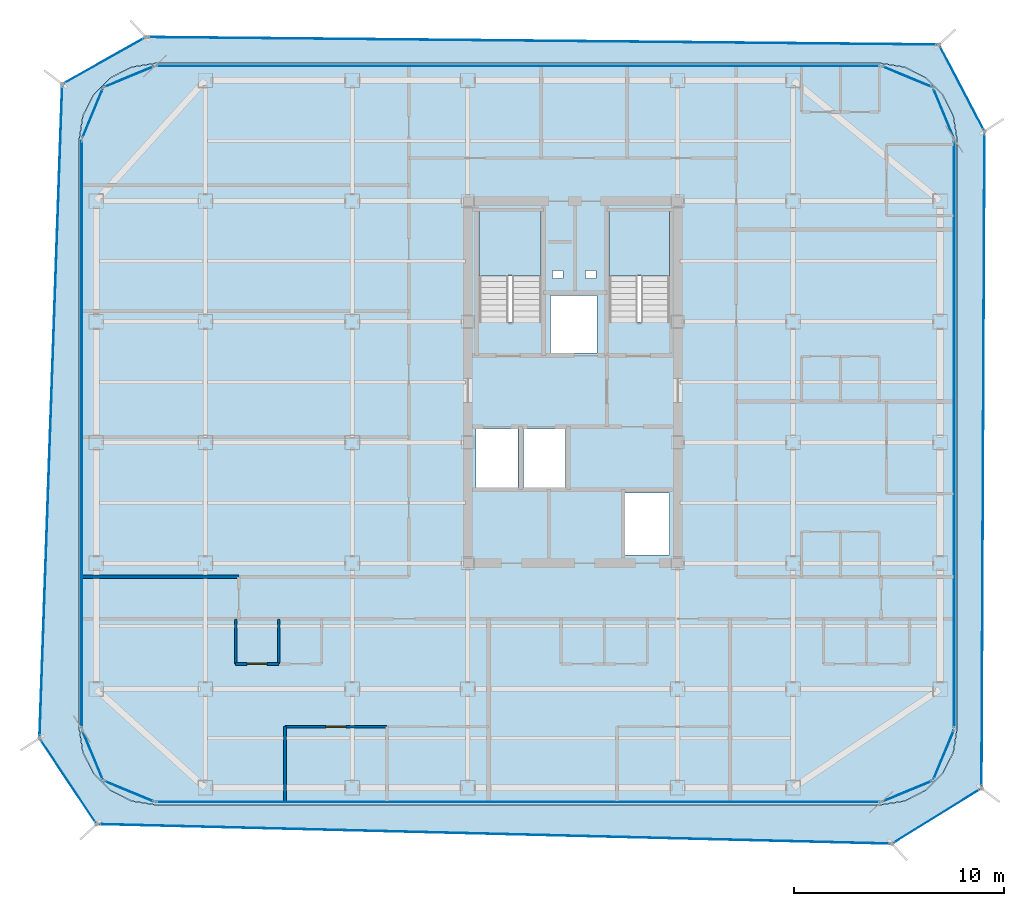
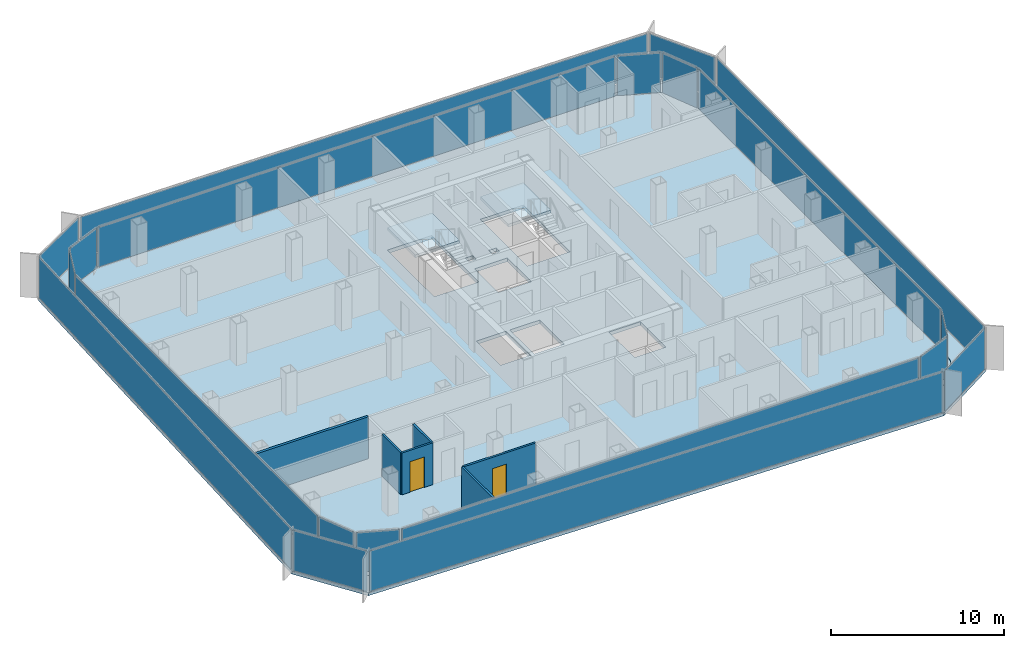
# One storey, part 9 of 15: 20 plates, 6 walls, 4 slabs, 2 doors, 2 openings, 22 elements without a shape of their own.
"""IFC4 building model written with IfcOpenShell, lengths in metres."""

from ifc_helpers import new_model, si_unit, direction, frame, frame_2d, origin, origin_2d, place, context, subcontext, project, spatial, polyline, rectangle, outline, extrude, source, transform, mapped, material, layer, layer_set, type_object, element, fill, aggregate, save


model = new_model("IFC4")

# Units and contexts
model_context = context("Model", 3, precision=1e-05, world=origin(), true_north=direction((0.0, 1.0)))
body_context = subcontext(model_context, "Body", "Model", "MODEL_VIEW")
ifc_project = project(units=[si_unit("LENGTHUNIT", "METRE"), si_unit("AREAUNIT", "SQUARE_METRE"), si_unit("VOLUMEUNIT", "CUBIC_METRE"), si_unit("PLANEANGLEUNIT", "RADIAN"), si_unit("MASSUNIT", "GRAM", prefix="KILO")], contexts=[model_context])

# Site, building, storey
site_placement = place(None, origin())
site = spatial("IfcSite", under=ifc_project, at=site_placement, CompositionType="ELEMENT")
building_placement = place(site_placement, origin())
building = spatial("IfcBuilding", under=site, at=building_placement, Name="Kolveth Station Tower", CompositionType="ELEMENT")
storey_placement = place(building_placement, frame((0.0, 0.0, 199.60009765625)))
storey = spatial("IfcBuildingStorey", under=building, at=storey_placement, Name="L56", CompositionType="ELEMENT", Elevation=199.60009765625)

# Slab
ifc_material_1 = material(Name="Concrete C40/50", Category="concrete")
ifc_layer_1 = layer(ifc_material_1, 0.25)
ifc_layer_set_1 = layer_set([ifc_layer_1], Name="Concrete C40/50")
slab_type_1 = type_object("IfcSlabType", Name="Slab_SF-250", PredefinedType="FLOOR", material=ifc_layer_set_1)
slab_1_placement = place(storey_placement, frame((0.0, 0.0, -0.25)))
element("IfcSlab", 1, at=slab_1_placement, inside=storey, type_object=slab_type_1, Name="L56 Tower Structural Floor Slab", PredefinedType="FLOOR", context=body_context, shape_type="SweptSolid", body=[
    extrude(outline(polyline([(38.199951171875, 0.0), (39.3125, 0.17626953125), (40.31591796875, 0.6875), (41.112548828125, 1.48388671875), (41.623779296875, 2.487548828125), (41.800048828125, 3.60009765625), (41.800048828125, 31.699951171875), (41.623779296875, 32.8125), (41.112548828125, 33.81591796875), (40.31591796875, 34.612548828125), (39.3125, 35.123779296875), (38.199951171875, 35.300048828125), (3.60009765625, 35.300048828125), (2.487548828125, 35.123779296875), (1.48388671875, 34.612548828125), (0.6875, 33.81591796875), (0.17626953125, 32.8125), (0.0, 31.699951171875), (0.0, 3.60009765625), (0.17626953125, 2.487548828125), (0.6875, 1.48388671875), (1.48388671875, 0.6875), (2.487548828125, 0.17626953125), (3.60009765625, 0.0), (38.199951171875, 0.0)]), holes=[polyline([(19.0400390625, 22.985107421875), (22.0, 22.985107421875), (22.0, 28.39990234375), (19.0400390625, 28.39990234375), (19.0400390625, 22.985107421875)]), polyline([(25.239990234375, 22.985107421875), (28.10009765625, 22.985107421875), (28.10009765625, 28.39990234375), (25.239990234375, 28.39990234375), (25.239990234375, 22.985107421875)]), polyline([(18.89990234375, 15.10009765625), (20.89990234375, 15.10009765625), (20.89990234375, 17.89990234375), (18.89990234375, 17.89990234375), (18.89990234375, 15.10009765625)]), polyline([(21.14990234375, 15.10009765625), (23.14990234375, 15.10009765625), (23.14990234375, 17.89990234375), (21.14990234375, 17.89990234375), (21.14990234375, 15.10009765625)]), polyline([(22.449951171875, 21.5), (24.64990234375, 21.5), (24.64990234375, 24.25), (22.449951171875, 24.25), (22.449951171875, 21.5)]), polyline([(26.0, 11.89990234375), (28.10009765625, 11.89990234375), (28.10009765625, 14.85009765625), (26.0, 14.85009765625), (26.0, 11.89990234375)]), polyline([(22.550048828125, 25.050048828125), (23.050048828125, 25.050048828125), (23.050048828125, 25.449951171875), (22.550048828125, 25.449951171875), (22.550048828125, 25.050048828125)]), polyline([(24.10009765625, 25.050048828125), (24.60009765625, 25.050048828125), (24.60009765625, 25.449951171875), (24.10009765625, 25.449951171875), (24.10009765625, 25.050048828125)])]), origin(), (0.0, 0.0, 1.0), 0.25),
])

# Stair, slab
stair_type_1 = type_object("IfcStairType", Name="Stair_ST2", PredefinedType="HALF_TURN_STAIR", material=ifc_material_1)
stair_1_placement = place(storey_placement, origin())
stair_1 = element("IfcStair", 2, at=stair_1_placement, inside=storey, type_object=stair_type_1, Name="L56 Tower Exit Stair ST2", PredefinedType="HALF_TURN_STAIR")
ifc_layer_2 = layer(ifc_material_1, 0.18994140625)
ifc_layer_set_2 = layer_set([ifc_layer_2], Name="Concrete C40/50")
slab_type_2 = type_object("IfcSlabType", Name="Slab_SL-190", PredefinedType="LANDING", material=ifc_layer_set_2)
slab_2_placement = place(storey_placement, frame((0.0, 0.0, 1.39990234375)))
slab_2 = element("IfcSlab", 3, at=slab_2_placement, type_object=slab_type_2, Name="ST2 landing 1", PredefinedType="LANDING", context=body_context, shape_type="SweptSolid", body=[
    extrude(outline(polyline([(28.10009765625, 25.18994140625), (28.10009765625, 28.39990234375), (25.239990234375, 28.39990234375), (25.239990234375, 25.18994140625), (28.10009765625, 25.18994140625)])), origin(), (0.0, 0.0, 1.0), 0.199951171875),
])
aggregate(stair_1, [slab_2])

stair_type_2 = type_object("IfcStairType", Name="Stair_ST1", PredefinedType="HALF_TURN_STAIR", material=ifc_material_1)
stair_2_placement = place(storey_placement, origin())
stair_2 = element("IfcStair", 4, at=stair_2_placement, inside=storey, type_object=stair_type_2, Name="L56 Tower Exit Stair ST1", PredefinedType="HALF_TURN_STAIR")
ifc_layer_3 = layer(ifc_material_1, 0.205078125)
ifc_layer_set_3 = layer_set([ifc_layer_3], Name="Concrete C40/50")
slab_type_3 = type_object("IfcSlabType", Name="Slab_SL-205", PredefinedType="LANDING", material=ifc_layer_set_3)
slab_3_placement = place(storey_placement, frame((0.0, 0.0, 1.39990234375)))
slab_3 = element("IfcSlab", 5, at=slab_3_placement, type_object=slab_type_3, Name="ST1 landing 1", PredefinedType="LANDING", context=body_context, shape_type="SweptSolid", body=[
    extrude(outline(polyline([(22.0, 25.18994140625), (22.0, 28.39990234375), (19.0400390625, 28.39990234375), (19.0400390625, 25.18994140625), (22.0, 25.18994140625)])), origin(), (0.0, 0.0, 1.0), 0.199951171875),
])
aggregate(stair_2, [slab_3])

# Slab
ifc_layer_4 = layer(ifc_material_1, 0.2099609375)
ifc_layer_set_4 = layer_set([ifc_layer_4], Name="Concrete C40/50")
slab_type_4 = type_object("IfcSlabType", Name="Slab_ST-210", PredefinedType="FLOOR", material=ifc_layer_set_4)
slab_4_placement = place(storey_placement, frame((0.0, 0.0, -0.210205078125)))
element("IfcSlab", 6, at=slab_4_placement, inside=storey, type_object=slab_type_4, Name="L56 Double-Skin Cavity Structural Ledger Ring", PredefinedType="FLOOR", context=body_context, shape_type="SweptSolid", body=[
    extrude(outline(polyline([(0.829833984375, -0.931640625), (-1.89599609375, 3.158935546875), (-0.812255859375, 34.315185546875), (3.169677734375, 36.55859375), (40.95166015625, 36.19970703125), (43.11962890625, 32.069091796875), (42.978271484375, 0.7744140625), (38.705078125, -1.865234375), (0.829833984375, -0.931640625)]), holes=[polyline([(38.202392578125, -0.014892578125), (39.314697265625, 0.161376953125), (39.3193359375, 0.162841796875), (40.32275390625, 0.674072265625), (40.32666015625, 0.677001953125), (41.123046875, 1.473388671875), (41.1259765625, 1.477294921875), (41.63720703125, 2.480712890625), (41.638671875, 2.485107421875), (41.814697265625, 3.59765625), (41.81494140625, 3.60009765625), (41.81494140625, 31.699951171875), (41.814697265625, 31.702392578125), (41.638671875, 32.814697265625), (41.63720703125, 32.8193359375), (41.1259765625, 33.82275390625), (41.123046875, 33.82666015625), (40.32666015625, 34.623046875), (40.32275390625, 34.6259765625), (39.3193359375, 35.13720703125), (39.314697265625, 35.138671875), (38.202392578125, 35.314697265625), (38.199951171875, 35.31494140625), (3.60009765625, 35.31494140625), (3.59765625, 35.314697265625), (2.485107421875, 35.138671875), (2.480712890625, 35.13720703125), (1.477294921875, 34.6259765625), (1.473388671875, 34.623046875), (0.677001953125, 33.82666015625), (0.674072265625, 33.82275390625), (0.162841796875, 32.8193359375), (0.161376953125, 32.814697265625), (-0.014892578125, 31.702392578125), (-0.014892578125, 31.699951171875), (-0.014892578125, 3.60009765625), (-0.014892578125, 3.59765625), (0.161376953125, 2.485107421875), (0.162841796875, 2.480712890625), (0.674072265625, 1.477294921875), (0.677001953125, 1.473388671875), (1.473388671875, 0.677001953125), (1.477294921875, 0.674072265625), (2.480712890625, 0.162841796875), (2.485107421875, 0.161376953125), (3.59765625, -0.014892578125), (3.60009765625, -0.014892578125), (38.199951171875, -0.014892578125), (38.202392578125, -0.014892578125)])]), origin(), (0.0, 0.0, 1.0), 0.210205078125),
])

# Curtain wall, plate
ifc_material_2 = material(Name="Aluminium 6063-T6 and low-E dark glass", Category="aluminium")
ifc_layer_5 = layer(ifc_material_2, 0.18994140625)
ifc_layer_set_5 = layer_set([ifc_layer_5], Name="Aluminium 6063-T6 and low-E dark glass")
curtain_wall_type_1 = type_object("IfcCurtainWallType", Name="CurtainWall_CW-Z2", PredefinedType="NOTDEFINED", material=ifc_layer_set_5)
curtain_wall_1_placement = place(storey_placement, origin())
curtain_wall_1 = element("IfcCurtainWall", 7, at=curtain_wall_1_placement, inside=storey, type_object=curtain_wall_type_1, Name="L56 Inner Thermal Curtain Wall 1", PredefinedType="NOTDEFINED")
ifc_material_3 = material(Name="Architectural low-E dark glass", Category="glass")
ifc_layer_6 = layer(ifc_material_3, 0.0380859375)
ifc_layer_set_6 = layer_set([ifc_layer_6], Name="Architectural low-E dark glass")
plate_type_1 = type_object("IfcPlateType", Name="Panel_GL2", PredefinedType="CURTAIN_PANEL", material=ifc_layer_set_6)
shared_shape_1 = source(origin(), body_context, "Body", "SweptSolid", [
    extrude(rectangle(XDim=2.517578125, YDim=0.0380859375, at=origin_2d()), origin(), (0.0, 0.0, 1.0), 2.803955078125),
])
plate_1_placement = place(storey_placement, frame((39.430419921875, 0.629638671875, 0.07275390625), z_axis=(0.0, 0.0, 1.0), x_axis=(0.923873600544, 0.382697753087, 0.0)))
plate_1 = element("IfcPlate", 8, at=plate_1_placement, type_object=plate_type_1, Name="CW-Z2 panel 1.1", PredefinedType="CURTAIN_PANEL", context=body_context, shape_type="MappedRepresentation", body=[
    mapped(shared_shape_1, transform((0.0, 0.0, 0.0), x_axis=(1.0, 0.0, 0.0), y_axis=(0.0, 1.0, 0.0), z_axis=(0.0, 0.0, 1.0), scale=1.0)),
])
aggregate(curtain_wall_1, [plate_1])

curtain_wall_2_placement = place(storey_placement, origin())
curtain_wall_2 = element("IfcCurtainWall", 9, at=curtain_wall_2_placement, inside=storey, type_object=curtain_wall_type_1, Name="L56 Inner Thermal Curtain Wall 2", PredefinedType="NOTDEFINED")
plate_2_placement = place(storey_placement, frame((41.17041015625, 2.36962890625, 0.07275390625), z_axis=(0.0, 0.0, 1.0), x_axis=(0.382697753087, 0.923873600544, 0.0)))
plate_2 = element("IfcPlate", 10, at=plate_2_placement, type_object=plate_type_1, Name="CW-Z2 panel 1.1", PredefinedType="CURTAIN_PANEL", context=body_context, shape_type="MappedRepresentation", body=[
    mapped(shared_shape_1, transform((0.0, 0.0, 0.0), x_axis=(1.0, 0.0, 0.0), y_axis=(0.0, 1.0, 0.0), z_axis=(0.0, 0.0, 1.0), scale=1.0)),
])
aggregate(curtain_wall_2, [plate_2])

curtain_wall_3_placement = place(storey_placement, origin())
curtain_wall_3 = element("IfcCurtainWall", 11, at=curtain_wall_3_placement, inside=storey, type_object=curtain_wall_type_1, Name="L56 Inner Thermal Curtain Wall 4", PredefinedType="NOTDEFINED")
plate_3_placement = place(storey_placement, frame((41.17041015625, 32.930419921875, 0.07275390625), z_axis=(0.0, 0.0, 1.0), x_axis=(-0.382697753087, 0.923873600544, 0.0)))
plate_3 = element("IfcPlate", 12, at=plate_3_placement, type_object=plate_type_1, Name="CW-Z2 panel 1.1", PredefinedType="CURTAIN_PANEL", context=body_context, shape_type="MappedRepresentation", body=[
    mapped(shared_shape_1, transform((0.0, 0.0, 0.0), x_axis=(1.0, 0.0, 0.0), y_axis=(0.0, 1.0, 0.0), z_axis=(0.0, 0.0, 1.0), scale=1.0)),
])
aggregate(curtain_wall_3, [plate_3])

curtain_wall_4_placement = place(storey_placement, origin())
curtain_wall_4 = element("IfcCurtainWall", 13, at=curtain_wall_4_placement, inside=storey, type_object=curtain_wall_type_1, Name="L56 Inner Thermal Curtain Wall 5", PredefinedType="NOTDEFINED")
plate_4_placement = place(storey_placement, frame((39.430419921875, 34.67041015625, 0.07275390625), z_axis=(0.0, 0.0, 1.0), x_axis=(-0.923873600544, 0.382697753087, 0.0)))
plate_4 = element("IfcPlate", 14, at=plate_4_placement, type_object=plate_type_1, Name="CW-Z2 panel 1.1", PredefinedType="CURTAIN_PANEL", context=body_context, shape_type="MappedRepresentation", body=[
    mapped(shared_shape_1, transform((0.0, 0.0, 0.0), x_axis=(1.0, 0.0, 0.0), y_axis=(0.0, 1.0, 0.0), z_axis=(0.0, 0.0, 1.0), scale=1.0)),
])
aggregate(curtain_wall_4, [plate_4])

curtain_wall_5_placement = place(storey_placement, origin())
curtain_wall_5 = element("IfcCurtainWall", 15, at=curtain_wall_5_placement, inside=storey, type_object=curtain_wall_type_1, Name="L56 Inner Thermal Curtain Wall 7", PredefinedType="NOTDEFINED")
plate_5_placement = place(storey_placement, frame((2.36962890625, 34.67041015625, 0.07275390625), z_axis=(0.0, 0.0, 1.0), x_axis=(-0.923873600544, -0.382697753087, 0.0)))
plate_5 = element("IfcPlate", 16, at=plate_5_placement, type_object=plate_type_1, Name="CW-Z2 panel 1.1", PredefinedType="CURTAIN_PANEL", context=body_context, shape_type="MappedRepresentation", body=[
    mapped(shared_shape_1, transform((0.0, 0.0, 0.0), x_axis=(1.0, 0.0, 0.0), y_axis=(0.0, 1.0, 0.0), z_axis=(0.0, 0.0, 1.0), scale=1.0)),
])
aggregate(curtain_wall_5, [plate_5])

curtain_wall_6_placement = place(storey_placement, origin())
curtain_wall_6 = element("IfcCurtainWall", 17, at=curtain_wall_6_placement, inside=storey, type_object=curtain_wall_type_1, Name="L56 Inner Thermal Curtain Wall 8", PredefinedType="NOTDEFINED")
plate_6_placement = place(storey_placement, frame((0.629638671875, 32.930419921875, 0.07275390625), z_axis=(0.0, 0.0, 1.0), x_axis=(-0.382697753087, -0.923873600544, 0.0)))
plate_6 = element("IfcPlate", 18, at=plate_6_placement, type_object=plate_type_1, Name="CW-Z2 panel 1.1", PredefinedType="CURTAIN_PANEL", context=body_context, shape_type="MappedRepresentation", body=[
    mapped(shared_shape_1, transform((0.0, 0.0, 0.0), x_axis=(1.0, 0.0, 0.0), y_axis=(0.0, 1.0, 0.0), z_axis=(0.0, 0.0, 1.0), scale=1.0)),
])
aggregate(curtain_wall_6, [plate_6])

curtain_wall_7_placement = place(storey_placement, origin())
curtain_wall_7 = element("IfcCurtainWall", 19, at=curtain_wall_7_placement, inside=storey, type_object=curtain_wall_type_1, Name="L56 Inner Thermal Curtain Wall 10", PredefinedType="NOTDEFINED")
plate_7_placement = place(storey_placement, frame((0.629638671875, 2.36962890625, 0.07275390625), z_axis=(0.0, 0.0, 1.0), x_axis=(0.382697753087, -0.923873600544, 0.0)))
plate_7 = element("IfcPlate", 20, at=plate_7_placement, type_object=plate_type_1, Name="CW-Z2 panel 1.1", PredefinedType="CURTAIN_PANEL", context=body_context, shape_type="MappedRepresentation", body=[
    mapped(shared_shape_1, transform((0.0, 0.0, 0.0), x_axis=(1.0, 0.0, 0.0), y_axis=(0.0, 1.0, 0.0), z_axis=(0.0, 0.0, 1.0), scale=1.0)),
])
aggregate(curtain_wall_7, [plate_7])

curtain_wall_8_placement = place(storey_placement, origin())
curtain_wall_8 = element("IfcCurtainWall", 21, at=curtain_wall_8_placement, inside=storey, type_object=curtain_wall_type_1, Name="L56 Inner Thermal Curtain Wall 11", PredefinedType="NOTDEFINED")
plate_8_placement = place(storey_placement, frame((2.36962890625, 0.629638671875, 0.07275390625), z_axis=(0.0, 0.0, 1.0), x_axis=(0.923873600544, -0.382697753087, 0.0)))
plate_8 = element("IfcPlate", 22, at=plate_8_placement, type_object=plate_type_1, Name="CW-Z2 panel 1.1", PredefinedType="CURTAIN_PANEL", context=body_context, shape_type="MappedRepresentation", body=[
    mapped(shared_shape_1, transform((0.0, 0.0, 0.0), x_axis=(1.0, 0.0, 0.0), y_axis=(0.0, 1.0, 0.0), z_axis=(0.0, 0.0, 1.0), scale=1.0)),
])
aggregate(curtain_wall_8, [plate_8])

curtain_wall_9_placement = place(storey_placement, origin())
curtain_wall_9 = element("IfcCurtainWall", 23, at=curtain_wall_9_placement, inside=storey, type_object=curtain_wall_type_1, Name="L56 Inner Thermal Curtain Wall 3", PredefinedType="NOTDEFINED")
shared_shape_2 = source(origin(), body_context, "Body", "SweptSolid", [
    extrude(rectangle(XDim=27.9541015625, YDim=0.0380859375, at=origin_2d()), origin(), (0.0, 0.0, 1.0), 2.803955078125),
])
plate_9_placement = place(storey_placement, frame((41.679931640625, 17.64990234375, 0.07275390625), z_axis=(0.0, 0.0, 1.0), x_axis=(0.0, 1.0, 0.0)))
plate_9 = element("IfcPlate", 24, at=plate_9_placement, type_object=plate_type_1, Name="CW-Z2 panel 1.1", PredefinedType="CURTAIN_PANEL", context=body_context, shape_type="MappedRepresentation", body=[
    mapped(shared_shape_2, transform((0.0, 0.0, 0.0), x_axis=(1.0, 0.0, 0.0), y_axis=(0.0, 1.0, 0.0), z_axis=(0.0, 0.0, 1.0), scale=1.0)),
])
aggregate(curtain_wall_9, [plate_9])

curtain_wall_10_placement = place(storey_placement, origin())
curtain_wall_10 = element("IfcCurtainWall", 25, at=curtain_wall_10_placement, inside=storey, type_object=curtain_wall_type_1, Name="L56 Inner Thermal Curtain Wall 9", PredefinedType="NOTDEFINED")
plate_10_placement = place(storey_placement, frame((0.1201171875, 17.64990234375, 0.07275390625), z_axis=(0.0, 0.0, 1.0), x_axis=(0.0, -1.0, 0.0)))
plate_10 = element("IfcPlate", 26, at=plate_10_placement, type_object=plate_type_1, Name="CW-Z2 panel 1.1", PredefinedType="CURTAIN_PANEL", context=body_context, shape_type="MappedRepresentation", body=[
    mapped(shared_shape_2, transform((0.0, 0.0, 0.0), x_axis=(1.0, 0.0, 0.0), y_axis=(0.0, 1.0, 0.0), z_axis=(0.0, 0.0, 1.0), scale=1.0)),
])
aggregate(curtain_wall_10, [plate_10])

curtain_wall_11_placement = place(storey_placement, origin())
curtain_wall_11 = element("IfcCurtainWall", 27, at=curtain_wall_11_placement, inside=storey, type_object=curtain_wall_type_1, Name="L56 Inner Thermal Curtain Wall 6", PredefinedType="NOTDEFINED")
shared_shape_3 = source(origin(), body_context, "Body", "SweptSolid", [
    extrude(rectangle(XDim=34.4541015625, YDim=0.0380859375, at=origin_2d()), origin(), (0.0, 0.0, 1.0), 2.803955078125),
])
plate_11_placement = place(storey_placement, frame((20.89990234375, 35.179931640625, 0.07275390625), z_axis=(0.0, 0.0, 1.0), x_axis=(-1.0, 0.0, 0.0)))
plate_11 = element("IfcPlate", 28, at=plate_11_placement, type_object=plate_type_1, Name="CW-Z2 panel 1.1", PredefinedType="CURTAIN_PANEL", context=body_context, shape_type="MappedRepresentation", body=[
    mapped(shared_shape_3, transform((0.0, 0.0, 0.0), x_axis=(1.0, 0.0, 0.0), y_axis=(0.0, 1.0, 0.0), z_axis=(0.0, 0.0, 1.0), scale=1.0)),
])
aggregate(curtain_wall_11, [plate_11])

curtain_wall_12_placement = place(storey_placement, origin())
curtain_wall_12 = element("IfcCurtainWall", 29, at=curtain_wall_12_placement, inside=storey, type_object=curtain_wall_type_1, Name="L56 Inner Thermal Curtain Wall 12", PredefinedType="NOTDEFINED")
plate_12_placement = place(storey_placement, frame((20.89990234375, 0.1201171875, 0.07275390625), z_axis=(0.0, 0.0, 1.0), x_axis=(1.0, 0.0, 0.0)))
plate_12 = element("IfcPlate", 30, at=plate_12_placement, type_object=plate_type_1, Name="CW-Z2 panel 1.1", PredefinedType="CURTAIN_PANEL", context=body_context, shape_type="MappedRepresentation", body=[
    mapped(shared_shape_3, transform((0.0, 0.0, 0.0), x_axis=(1.0, 0.0, 0.0), y_axis=(0.0, 1.0, 0.0), z_axis=(0.0, 0.0, 1.0), scale=1.0)),
])
aggregate(curtain_wall_12, [plate_12])

ifc_material_4 = material(Name="Black anodized aluminium 6063-T6 and dark solar glass", Category="aluminium")
ifc_layer_7 = layer(ifc_material_4, 0.159912109375)
ifc_layer_set_7 = layer_set([ifc_layer_7], Name="Black anodized aluminium 6063-T6 and dark solar glass")
curtain_wall_type_2 = type_object("IfcCurtainWallType", Name="OUTER SKIN CW-OS", PredefinedType="NOTDEFINED", material=ifc_layer_set_7)
curtain_wall_13_placement = place(storey_placement, origin())
curtain_wall_13 = element("IfcCurtainWall", 31, at=curtain_wall_13_placement, inside=storey, type_object=curtain_wall_type_2, Name="L56 Outer Ventilated Skin Curtain Wall 1", PredefinedType="NOTDEFINED")
ifc_layer_8 = layer(ifc_material_3, 0.028076171875)
ifc_layer_set_8 = layer_set([ifc_layer_8], Name="Architectural low-E dark glass")
plate_type_2 = type_object("IfcPlateType", Name="Panel_GL-OS", PredefinedType="CURTAIN_PANEL", material=ifc_layer_set_8)
shared_shape_4 = source(origin(), body_context, "Body", "SweptSolid", [
    extrude(rectangle(XDim=4.856689453125, YDim=0.028076171875, at=origin_2d()), origin(), (0.0, 0.0, 1.0), 2.843994140625),
])
plate_13_placement = place(storey_placement, frame((40.841552734375, -0.54541015625, 0.07275390625), z_axis=(0.0, 0.0, 1.0), x_axis=(0.850768411724, 0.525540778259, 0.0)))
plate_13 = element("IfcPlate", 32, at=plate_13_placement, type_object=plate_type_2, Name="CW-OS panel 1.1", PredefinedType="CURTAIN_PANEL", context=body_context, shape_type="MappedRepresentation", body=[
    mapped(shared_shape_4, transform((0.0, 0.0, 0.0), x_axis=(1.0, 0.0, 0.0), y_axis=(0.0, 1.0, 0.0), z_axis=(0.0, 0.0, 1.0), scale=1.0)),
])
aggregate(curtain_wall_13, [plate_13])

curtain_wall_14_placement = place(storey_placement, origin())
curtain_wall_14 = element("IfcCurtainWall", 33, at=curtain_wall_14_placement, inside=storey, type_object=curtain_wall_type_2, Name="L56 Outer Ventilated Skin Curtain Wall 2", PredefinedType="NOTDEFINED")
shared_shape_5 = source(origin(), body_context, "Body", "SweptSolid", [
    extrude(rectangle(XDim=31.12890625, YDim=0.028076171875, at=origin_2d()), origin(), (0.0, 0.0, 1.0), 2.843994140625),
])
plate_14_placement = place(storey_placement, frame((43.048828125, 16.421630859375, 0.07275390625), z_axis=(0.0, 0.0, 1.0), x_axis=(0.004518305281, 0.999989792407, 0.0)))
plate_14 = element("IfcPlate", 34, at=plate_14_placement, type_object=plate_type_2, Name="CW-OS panel 1.1", PredefinedType="CURTAIN_PANEL", context=body_context, shape_type="MappedRepresentation", body=[
    mapped(shared_shape_5, transform((0.0, 0.0, 0.0), x_axis=(1.0, 0.0, 0.0), y_axis=(0.0, 1.0, 0.0), z_axis=(0.0, 0.0, 1.0), scale=1.0)),
])
aggregate(curtain_wall_14, [plate_14])

curtain_wall_15_placement = place(storey_placement, origin())
curtain_wall_15 = element("IfcCurtainWall", 35, at=curtain_wall_15_placement, inside=storey, type_object=curtain_wall_type_2, Name="L56 Outer Ventilated Skin Curtain Wall 3", PredefinedType="NOTDEFINED")
shared_shape_6 = source(origin(), body_context, "Body", "SweptSolid", [
    extrude(rectangle(XDim=4.498779296875, YDim=0.028076171875, at=origin_2d()), origin(), (0.0, 0.0, 1.0), 2.843994140625),
])
plate_15_placement = place(storey_placement, frame((42.03564453125, 34.13427734375, 0.07275390625), z_axis=(0.0, 0.0, 1.0), x_axis=(-0.464722143953, 0.885456565236, 0.0)))
plate_15 = element("IfcPlate", 36, at=plate_15_placement, type_object=plate_type_2, Name="CW-OS panel 1.1", PredefinedType="CURTAIN_PANEL", context=body_context, shape_type="MappedRepresentation", body=[
    mapped(shared_shape_6, transform((0.0, 0.0, 0.0), x_axis=(1.0, 0.0, 0.0), y_axis=(0.0, 1.0, 0.0), z_axis=(0.0, 0.0, 1.0), scale=1.0)),
])
aggregate(curtain_wall_15, [plate_15])

curtain_wall_16_placement = place(storey_placement, origin())
curtain_wall_16 = element("IfcCurtainWall", 37, at=curtain_wall_16_placement, inside=storey, type_object=curtain_wall_type_2, Name="L56 Outer Ventilated Skin Curtain Wall 4", PredefinedType="NOTDEFINED")
shared_shape_7 = source(origin(), body_context, "Body", "SweptSolid", [
    extrude(rectangle(XDim=37.61767578125, YDim=0.028076171875, at=origin_2d()), origin(), (0.0, 0.0, 1.0), 2.843994140625),
])
plate_16_placement = place(storey_placement, frame((22.060791015625, 36.379150390625, 0.07275390625), z_axis=(0.0, 0.0, 1.0), x_axis=(-0.999954860202, 0.009501450285, 0.0)))
plate_16 = element("IfcPlate", 38, at=plate_16_placement, type_object=plate_type_2, Name="CW-OS panel 1.1", PredefinedType="CURTAIN_PANEL", context=body_context, shape_type="MappedRepresentation", body=[
    mapped(shared_shape_7, transform((0.0, 0.0, 0.0), x_axis=(1.0, 0.0, 0.0), y_axis=(0.0, 1.0, 0.0), z_axis=(0.0, 0.0, 1.0), scale=1.0)),
])
aggregate(curtain_wall_16, [plate_16])

curtain_wall_17_placement = place(storey_placement, origin())
curtain_wall_17 = element("IfcCurtainWall", 39, at=curtain_wall_17_placement, inside=storey, type_object=curtain_wall_type_2, Name="L56 Outer Ventilated Skin Curtain Wall 5", PredefinedType="NOTDEFINED")
shared_shape_8 = source(origin(), body_context, "Body", "SweptSolid", [
    extrude(rectangle(XDim=4.404296875, YDim=0.028076171875, at=origin_2d()), origin(), (0.0, 0.0, 1.0), 2.843994140625),
])
plate_17_placement = place(storey_placement, frame((1.1787109375, 35.43701171875, 0.07275390625), z_axis=(0.0, 0.0, 1.0), x_axis=(-0.871255139467, -0.490830400396, 0.0)))
plate_17 = element("IfcPlate", 40, at=plate_17_placement, type_object=plate_type_2, Name="CW-OS panel 1.1", PredefinedType="CURTAIN_PANEL", context=body_context, shape_type="MappedRepresentation", body=[
    mapped(shared_shape_8, transform((0.0, 0.0, 0.0), x_axis=(1.0, 0.0, 0.0), y_axis=(0.0, 1.0, 0.0), z_axis=(0.0, 0.0, 1.0), scale=1.0)),
])
aggregate(curtain_wall_17, [plate_17])

curtain_wall_18_placement = place(storey_placement, origin())
curtain_wall_18 = element("IfcCurtainWall", 41, at=curtain_wall_18_placement, inside=storey, type_object=curtain_wall_type_2, Name="L56 Outer Ventilated Skin Curtain Wall 6", PredefinedType="NOTDEFINED")
shared_shape_9 = source(origin(), body_context, "Body", "SweptSolid", [
    extrude(rectangle(XDim=31.009033203125, YDim=0.028076171875, at=origin_2d()), origin(), (0.0, 0.0, 1.0), 2.843994140625),
])
plate_18_placement = place(storey_placement, frame((-1.354248046875, 18.737060546875, 0.07275390625), z_axis=(0.0, 0.0, 1.0), x_axis=(-0.034764874631, -0.999395519047, 0.0)))
plate_18 = element("IfcPlate", 42, at=plate_18_placement, type_object=plate_type_2, Name="CW-OS panel 1.1", PredefinedType="CURTAIN_PANEL", context=body_context, shape_type="MappedRepresentation", body=[
    mapped(shared_shape_9, transform((0.0, 0.0, 0.0), x_axis=(1.0, 0.0, 0.0), y_axis=(0.0, 1.0, 0.0), z_axis=(0.0, 0.0, 1.0), scale=1.0)),
])
aggregate(curtain_wall_18, [plate_18])

curtain_wall_19_placement = place(storey_placement, origin())
curtain_wall_19 = element("IfcCurtainWall", 43, at=curtain_wall_19_placement, inside=storey, type_object=curtain_wall_type_2, Name="L56 Outer Ventilated Skin Curtain Wall 7", PredefinedType="NOTDEFINED")
shared_shape_10 = source(origin(), body_context, "Body", "SweptSolid", [
    extrude(rectangle(XDim=4.749755859375, YDim=0.028076171875, at=origin_2d()), origin(), (0.0, 0.0, 1.0), 2.843994140625),
])
plate_19_placement = place(storey_placement, frame((-0.533203125, 1.11376953125, 0.07275390625), z_axis=(0.0, 0.0, 1.0), x_axis=(0.554540574472, -0.832156686727, 0.0)))
plate_19 = element("IfcPlate", 44, at=plate_19_placement, type_object=plate_type_2, Name="CW-OS panel 1.1", PredefinedType="CURTAIN_PANEL", context=body_context, shape_type="MappedRepresentation", body=[
    mapped(shared_shape_10, transform((0.0, 0.0, 0.0), x_axis=(1.0, 0.0, 0.0), y_axis=(0.0, 1.0, 0.0), z_axis=(0.0, 0.0, 1.0), scale=1.0)),
])
aggregate(curtain_wall_19, [plate_19])

curtain_wall_20_placement = place(storey_placement, origin())
curtain_wall_20 = element("IfcCurtainWall", 45, at=curtain_wall_20_placement, inside=storey, type_object=curtain_wall_type_2, Name="L56 Outer Ventilated Skin Curtain Wall 8", PredefinedType="NOTDEFINED")
shared_shape_11 = source(origin(), body_context, "Body", "SweptSolid", [
    extrude(rectangle(XDim=37.720703125, YDim=0.028076171875, at=origin_2d()), origin(), (0.0, 0.0, 1.0), 2.843994140625),
])
plate_20_placement = place(storey_placement, frame((19.767578125, -1.3984375, 0.07275390625), z_axis=(0.0, 0.0, 1.0), x_axis=(0.999696407547, -0.024639251977, 0.0)))
plate_20 = element("IfcPlate", 46, at=plate_20_placement, type_object=plate_type_2, Name="CW-OS panel 1.1", PredefinedType="CURTAIN_PANEL", context=body_context, shape_type="MappedRepresentation", body=[
    mapped(shared_shape_11, transform((0.0, 0.0, 0.0), x_axis=(1.0, 0.0, 0.0), y_axis=(0.0, 1.0, 0.0), z_axis=(0.0, 0.0, 1.0), scale=1.0)),
])
aggregate(curtain_wall_20, [plate_20])

# Wall, opening, door
ifc_material_5 = material(Name="Moisture-resistant gypsum partition")
ifc_layer_9 = layer(ifc_material_5, 0.135009765625)
ifc_layer_set_9 = layer_set([ifc_layer_9], Name="Moisture-resistant gypsum partition")
wall_type_1 = type_object("IfcWallType", Name="Wall_IW-135", PredefinedType="PARTITIONING", material=ifc_layer_set_9)
wall_1_placement = place(storey_placement, frame((7.449951171875, 6.699951171875, 0.0), z_axis=(0.0, 0.0, 1.0), x_axis=(1.0, 0.0, 0.0)))
wall_1 = element("IfcWall", 47, at=wall_1_placement, inside=storey, type_object=wall_type_1, Name="L56 Partition Wall WL-L56-A1-IBHK", PredefinedType="PARTITIONING", context=body_context, shape_type="SweptSolid", body=[
    extrude(rectangle(XDim=2.050048828125, YDim=0.135009765625, at=frame_2d((1.02490234375, 0.0))), origin(), (0.0, 0.0, 1.0), 2.949951171875),
])
opening_1_placement = place(wall_1_placement, frame((0.544921875, 0.0, 0.0)))
opening_1 = element("IfcOpeningElement", 48, at=opening_1_placement, cuts=wall_1, Name="Opening ID1", PredefinedType="OPENING", context=body_context, shape_type="SweptSolid", body=[
    extrude(rectangle(XDim=0.949951171875, YDim=2.14990234375, at=frame_2d((0.47509765625, 1.074951171875))), frame((0.0, 0.077392578125, 0.0), z_axis=(0.0, -1.0, 0.0), x_axis=(1.0, 0.0, 0.0)), (0.0, 0.0, 1.0), 0.155029296875),
])
ifc_material_6 = material(Name="Acoustic hardwood leaf and aluminium frame", Category="wood")
door_type = type_object("IfcDoorType", Name="Door_ID1", OperationType="NOTDEFINED", PredefinedType="DOOR", material=ifc_material_6)
door_1_placement = place(opening_1_placement, origin())
door_1 = element("IfcDoor", 49, at=door_1_placement, inside=storey, type_object=door_type, Name="Penthouse Flat L56-A1 Kitchen Door", OperationType="SINGLE_SWING_LEFT", OverallHeight=2.14990234375, OverallWidth=0.949951171875, PredefinedType="DOOR", context=body_context, shape_type="SweptSolid", body=[
    extrude(rectangle(XDim=0.949951171875, YDim=2.14990234375, at=frame_2d((0.47509765625, 1.074951171875))), frame((0.0, 0.02490234375, 0.0), z_axis=(0.0, -1.0, 0.0), x_axis=(1.0, 0.0, 0.0)), (0.0, 0.0, 1.0), 0.050048828125),
])
fill(opening_1, door_1)

# Walls
for number, where, z_axis, x_axis, name in (
    (50, (7.449951171875, 6.699951171875, 0.0), (0.0, 0.0, 1.0), (0.0, 1.0, 0.0), "L56 Partition Wall WL-L56-A1-IBV0"),
    (51, (9.5, 6.699951171875, 0.0), (0.0, 0.0, 1.0), (0.0, 1.0, 0.0), "L56 Partition Wall WL-L56-A1-IBV1"),
):
    element("IfcWall", number, at=place(storey_placement, frame(where, z_axis=z_axis, x_axis=x_axis)), inside=storey, type_object=wall_type_1, Name=name, PredefinedType="PARTITIONING", context=body_context, shape_type="SweptSolid", body=[
        extrude(rectangle(XDim=2.150146484375, YDim=0.135009765625, at=frame_2d((1.0751953125, 0.0))), origin(), (0.0, 0.0, 1.0), 2.949951171875),
    ])
wall_2_placement = place(storey_placement, frame((9.797119140625, 0.159912109375, 0.0), z_axis=(0.0, 0.0, 1.0), x_axis=(0.0, 1.0, 0.0)))
element("IfcWall", 52, at=wall_2_placement, inside=storey, type_object=wall_type_1, Name="L56 Partition Wall WL-L56-A1-BDV0", PredefinedType="PARTITIONING", context=body_context, shape_type="SweptSolid", body=[
    extrude(rectangle(XDim=3.550048828125, YDim=0.135009765625, at=frame_2d((1.77490234375, 0.0))), origin(), (0.0, 0.0, 1.0), 2.949951171875),
])

# Wall, opening, door
wall_3_placement = place(storey_placement, frame((9.797119140625, 3.7099609375, 0.0), z_axis=(0.0, 0.0, 1.0), x_axis=(1.0, 0.0, 0.0)))
wall_3 = element("IfcWall", 53, at=wall_3_placement, inside=storey, type_object=wall_type_1, Name="L56 Partition Wall WL-L56-A1-BDH1", PredefinedType="PARTITIONING", context=body_context, shape_type="SweptSolid", body=[
    extrude(rectangle(XDim=4.851318359375, YDim=0.135009765625, at=frame_2d((2.42578125, 0.0))), origin(), (0.0, 0.0, 1.0), 2.949951171875),
])
opening_2_placement = place(wall_3_placement, frame((1.946044921875, 0.0, 0.0)))
opening_2 = element("IfcOpeningElement", 54, at=opening_2_placement, cuts=wall_3, Name="Opening ID1", PredefinedType="OPENING", context=body_context, shape_type="SweptSolid", body=[
    extrude(rectangle(XDim=0.949951171875, YDim=2.14990234375, at=frame_2d((0.47509765625, 1.074951171875))), frame((0.0, 0.077392578125, 0.0), z_axis=(0.0, -1.0, 0.0), x_axis=(1.0, 0.0, 0.0)), (0.0, 0.0, 1.0), 0.155029296875),
])
door_2_placement = place(opening_2_placement, frame((0.949951171875, 0.0, 0.0), z_axis=(0.0, 0.0, 1.0), x_axis=(-1.0, 0.0, 0.0)))
door_2 = element("IfcDoor", 55, at=door_2_placement, inside=storey, type_object=door_type, Name="Penthouse Flat L56-A1 Bedroom 1 Door", OperationType="SINGLE_SWING_RIGHT", OverallHeight=2.14990234375, OverallWidth=0.949951171875, PredefinedType="DOOR", context=body_context, shape_type="SweptSolid", body=[
    extrude(rectangle(XDim=0.949951171875, YDim=2.14990234375, at=frame_2d((0.47509765625, 1.074951171875))), frame((0.0, 0.02490234375, 0.0), z_axis=(0.0, -1.0, 0.0), x_axis=(1.0, 0.0, 0.0)), (0.0, 0.0, 1.0), 0.050048828125),
])
fill(opening_2, door_2)

# Wall
ifc_material_7 = material(Name="Acoustic double-stud gypsum partition")
ifc_layer_10 = layer(ifc_material_7, 0.1650390625)
ifc_layer_set_10 = layer_set([ifc_layer_10], Name="Acoustic double-stud gypsum partition")
wall_type_2 = type_object("IfcWallType", Name="Wall_IW-165", PredefinedType="PARTITIONING", material=ifc_layer_set_10)
wall_4_placement = place(storey_placement, frame((0.159912109375, 10.85009765625, 0.0), z_axis=(0.0, 0.0, 1.0), x_axis=(1.0, 0.0, 0.0)))
element("IfcWall", 56, at=wall_4_placement, inside=storey, type_object=wall_type_2, Name="L56 Partition Wall WL-L56-WSTN", PredefinedType="PARTITIONING", context=body_context, shape_type="SweptSolid", body=[
    extrude(rectangle(XDim=7.440185546875, YDim=0.1650390625, at=frame_2d((3.72021484375, 0.0))), origin(), (0.0, 0.0, 1.0), 2.949951171875),
])

save(model, "model.ifc")
